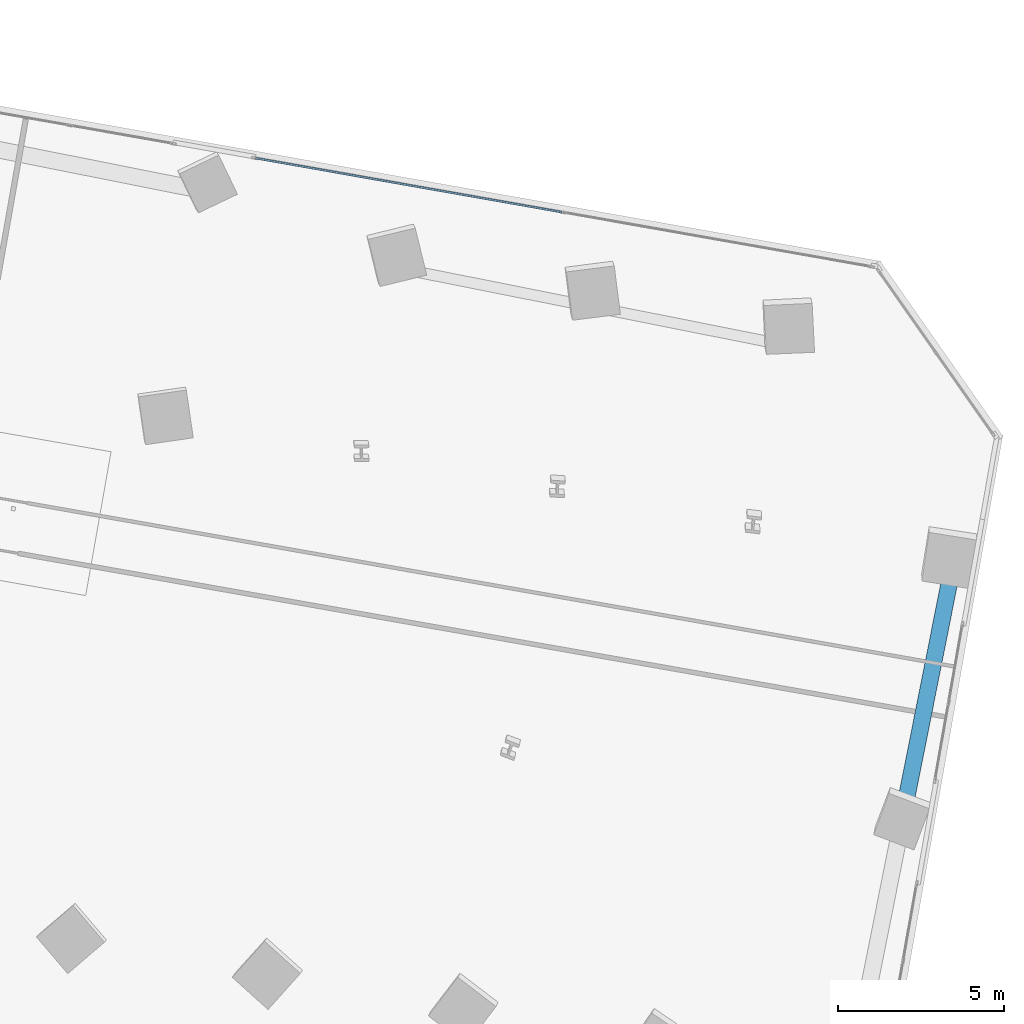
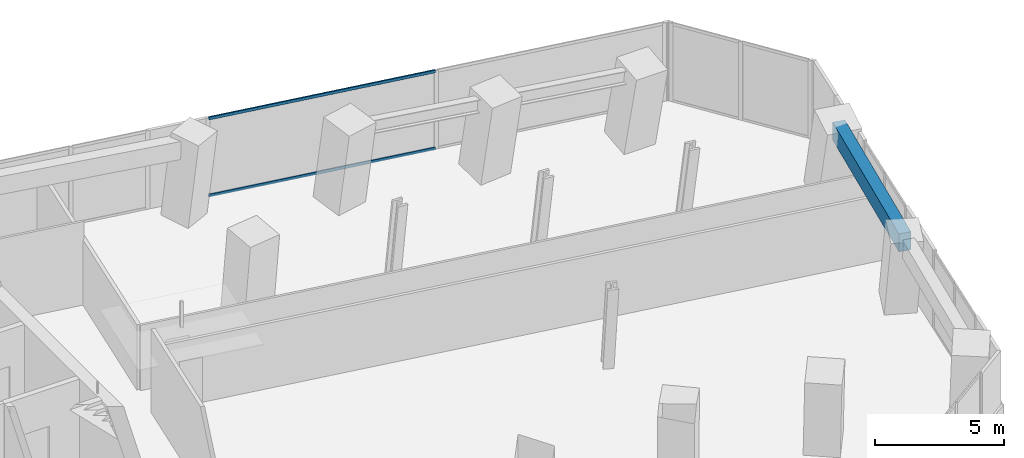
# One storey, part 10 of 24: 2 members, 1 beam, 1 element without a shape of its own.
"""IFC4 building model written with IfcOpenShell, lengths in metres."""

from ifc_helpers import new_model, si_unit, direction, frame, origin, origin_2d, place, context, subcontext, project, spatial, rectangle, hollow_rectangle, extrude, source, transform, mapped, material, material_profile, profile_set, type_object, element, aggregate, save


model = new_model("IFC4")

# Units and contexts
model_context = context("Model", 3, precision=1e-05, world=origin(), true_north=direction((0.0, 1.0)))
body_context = subcontext(model_context, "Body", "Model", "MODEL_VIEW")
ifc_project = project(units=[si_unit("LENGTHUNIT", "METRE"), si_unit("AREAUNIT", "SQUARE_METRE"), si_unit("VOLUMEUNIT", "CUBIC_METRE"), si_unit("PLANEANGLEUNIT", "RADIAN"), si_unit("MASSUNIT", "GRAM", prefix="KILO")], contexts=[model_context])

# Site, building, storey
site_placement = place(None, origin())
site = spatial("IfcSite", under=ifc_project, at=site_placement, CompositionType="ELEMENT")
building_placement = place(site_placement, origin())
building = spatial("IfcBuilding", under=site, at=building_placement, Name="Torre Montelarca", CompositionType="ELEMENT")
storey_placement = place(building_placement, frame((0.0, 0.0, 79.0)))
storey = spatial("IfcBuildingStorey", under=building, at=storey_placement, Name="L17", CompositionType="ELEMENT", Elevation=79.0)

# Beam
ifc_material_1 = material(Name="Concrete C55/67", Category="concrete")
ifc_material_profile_1 = material_profile(ifc_material_1, rectangle(XDim=0.5, YDim=0.85009765625, at=origin_2d()), Name="RCB500X850", Category="concrete")
ifc_profile_set_1 = profile_set([ifc_material_profile_1], Name="Concrete C55/67")
beam_type = type_object("IfcBeamType", Name="BM-SP-RC850-EXT", PredefinedType="SPANDREL", material=ifc_profile_set_1)
shared_shape_1 = source(origin(), body_context, "Body", "SweptSolid", [
    extrude(rectangle(XDim=0.5, YDim=0.85009765625, at=origin_2d()), origin(), (0.0, 0.0, 1.0), 8.0),
])
beam_placement = place(storey_placement, frame((59.26025390625, 24.489013671875, 3.534912109375), z_axis=(0.195100724051, 0.980783211253, 0.0), x_axis=(-0.980783211253, 0.195100724051, 0.0)))
element("IfcBeam", 1, at=beam_placement, inside=storey, type_object=beam_type, Name="L17 Grid Girder Y 32.0-40.0 at X=60.0", PredefinedType="SPANDREL", context=body_context, shape_type="MappedRepresentation", body=[
    mapped(shared_shape_1, transform((0.0, 0.0, 0.0), scale=1.0)),
])

# Curtain wall, members
ifc_material_2 = material(Name="Insulated low-E laminated glass", Category="glass")
curtain_wall_type = type_object("IfcCurtainWallType", Name="CW-SYS-Z1", PredefinedType="USERDEFINED", material=ifc_material_2)
curtain_wall_placement = place(storey_placement, origin())
curtain_wall = element("IfcCurtainWall", 2, at=curtain_wall_placement, inside=storey, type_object=curtain_wall_type, Name="L17 Curtain Wall Run CW-T3-L17-E08-B1", ObjectType="UNITISED GLAZING", PredefinedType="USERDEFINED")
ifc_material_3 = material(Name="Anodised aluminium AA 6063-T6", Category="aluminium")
ifc_material_profile_2 = material_profile(ifc_material_3, hollow_rectangle(XDim=0.06494140625, YDim=0.139892578125, WallThickness=0.00390625, InnerFilletRadius=0.00390625, OuterFilletRadius=0.008056640625, at=origin_2d()), Name="ALU65X140X4", Category="aluminium")
ifc_profile_set_2 = profile_set([ifc_material_profile_2], Name="Anodised aluminium AA 6063-T6")
member_type = type_object("IfcMemberType", Name="CWT-ALU140", PredefinedType="USERDEFINED", material=ifc_profile_set_2)
shared_shape_2 = source(origin(), body_context, "Body", "SweptSolid", [
    extrude(hollow_rectangle(XDim=0.06494140625, YDim=0.139892578125, WallThickness=0.00390625, InnerFilletRadius=0.00390625, OuterFilletRadius=0.008056640625, at=origin_2d()), origin(), (0.0, 0.0, 1.0), 9.37255859375),
])
member_1_placement = place(storey_placement, frame((49.138427734375, 43.444580078125, 0.032470703125), z_axis=(-0.984809508757, 0.173638220049, 0.0), x_axis=(-0.173638220049, -0.984809508757, 0.0)))
member_1 = element("IfcMember", 3, at=member_1_placement, type_object=member_type, Name="CW transom 2.1", ObjectType="TRANSOM", PredefinedType="USERDEFINED", context=body_context, shape_type="MappedRepresentation", body=[
    mapped(shared_shape_2, transform((0.0, 0.0, 0.0), scale=1.0)),
])
member_2_placement = place(storey_placement, frame((49.138427734375, 43.444580078125, 3.6875), z_axis=(-0.984809508757, 0.173638220049, 0.0), x_axis=(-0.173638220049, -0.984809508757, 0.0)))
member_2 = element("IfcMember", 4, at=member_2_placement, type_object=member_type, Name="CW transom 2.2", ObjectType="TRANSOM", PredefinedType="USERDEFINED", context=body_context, shape_type="MappedRepresentation", body=[
    mapped(shared_shape_2, transform((0.0, 0.0, 0.0), scale=1.0)),
])
aggregate(curtain_wall, [member_1, member_2])

save(model, "model.ifc")
